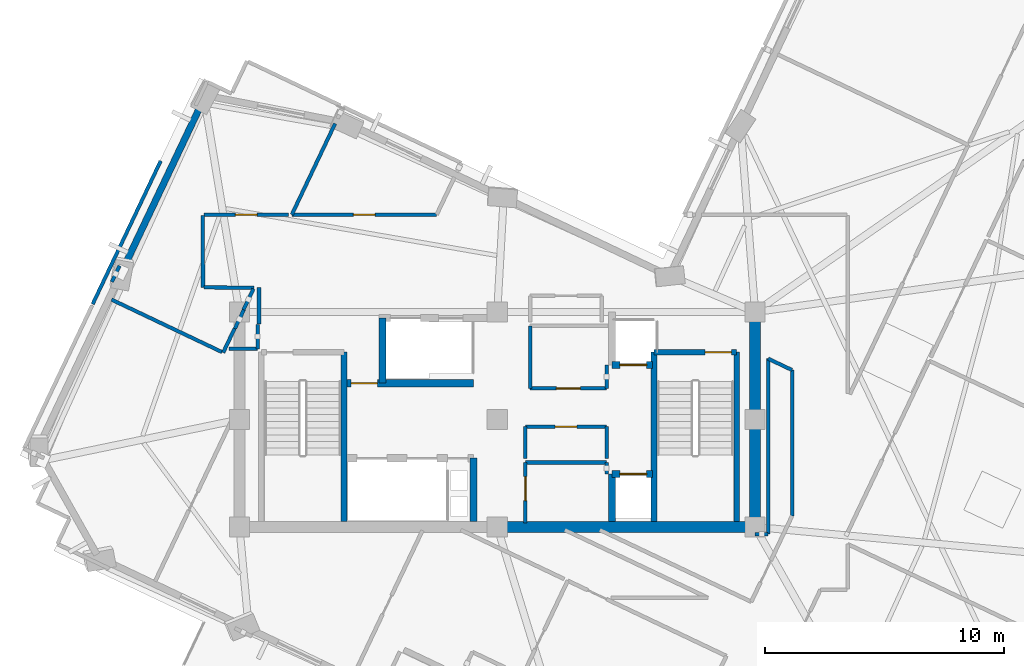
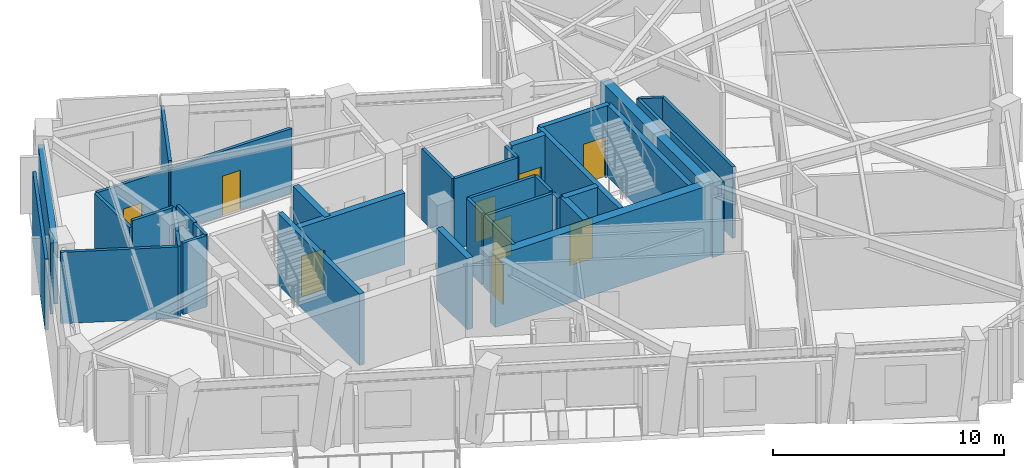
# One storey, part 6 of 13: 40 walls, 9 doors, 9 openings.
"""IFC4 building model written with IfcOpenShell, lengths in metres."""

from ifc_helpers import new_model, si_unit, direction, frame, frame_2d, origin, place, context, subcontext, project, spatial, rectangle, extrude, material, layer, layer_set, type_object, element, fill, save


model = new_model("IFC4")

# Units and contexts
model_context = context("Model", 3, precision=1e-05, world=origin(), true_north=direction((0.0, 1.0)))
body_context = subcontext(model_context, "Body", "Model", "MODEL_VIEW")
ifc_project = project(units=[si_unit("LENGTHUNIT", "METRE"), si_unit("AREAUNIT", "SQUARE_METRE"), si_unit("VOLUMEUNIT", "CUBIC_METRE"), si_unit("PLANEANGLEUNIT", "RADIAN"), si_unit("MASSUNIT", "GRAM", prefix="KILO")], contexts=[model_context])

# Site, building, storey
site_placement = place(None, origin())
site = spatial("IfcSite", under=ifc_project, at=site_placement, CompositionType="ELEMENT")
building_placement = place(site_placement, origin())
building = spatial("IfcBuilding", under=site, at=building_placement, Name="Gaonmaruhae Medical Tower", CompositionType="ELEMENT")
storey_placement = place(building_placement, frame((0.0, 0.0, 300.60009765625)))
storey = spatial("IfcBuildingStorey", under=building, at=storey_placement, Name="L72", CompositionType="ELEMENT", Elevation=300.60009765625)

# Walls
ifc_material_1 = material(Name="Concrete C50/60", Category="concrete")
ifc_layer_1 = layer(ifc_material_1, 0.449951171875)
ifc_layer_set_1 = layer_set([ifc_layer_1], Name="Concrete C50/60")
wall_type_1 = type_object("IfcWallType", Name="CW-450 Upper Core Shear Wall", PredefinedType="SHEAR", material=ifc_layer_set_1)
wall_1_placement = place(storey_placement, frame((24.800048828125, 7.800048828125, 0.0), z_axis=(0.0, 0.0, 1.0), x_axis=(1.0, 0.0, 0.0)))
element("IfcWall", 1, at=wall_1_placement, inside=storey, type_object=wall_type_1, Name="L72 Core Shear Wall CSW-S2", PredefinedType="SHEAR", context=body_context, shape_type="SweptSolid", body=[
    extrude(rectangle(XDim=10.800048828125, YDim=0.449951171875, at=frame_2d((5.39990234375, 0.0))), origin(), (0.0, 0.0, 1.0), 3.77978515625),
])
wall_2_placement = place(storey_placement, frame((35.60009765625, 7.800048828125, 0.0), z_axis=(0.0, 0.0, 1.0), x_axis=(0.0, 1.0, 0.0)))
element("IfcWall", 2, at=wall_2_placement, inside=storey, type_object=wall_type_1, Name="L72 Core Shear Wall CSW-E1", PredefinedType="SHEAR", context=body_context, shape_type="SweptSolid", body=[
    extrude(rectangle(XDim=9.0, YDim=0.449951171875, at=frame_2d((4.5, 0.0))), origin(), (0.0, 0.0, 1.0), 3.77978515625),
])
ifc_material_2 = material(Name="Precast concrete C45/55", Category="concrete")
ifc_layer_2 = layer(ifc_material_2, 0.280029296875)
ifc_layer_set_2 = layer_set([ifc_layer_2], Name="Precast concrete C45/55")
wall_type_2 = type_object("IfcWallType", Name="EW-280 Upper Precast Masonry-Frame Facade Wall", PredefinedType="SOLIDWALL", material=ifc_layer_set_2)
wall_3_placement = place(storey_placement, frame((9.151611328125, 18.656494140625, 0.0), z_axis=(0.0, 0.0, 1.0), x_axis=(0.428927525455, 0.903338905343, 0.0)))
element("IfcWall", 3, at=wall_3_placement, inside=storey, type_object=wall_type_2, Name="L72 Precast Masonry-Frame Wall N01-N02", PredefinedType="SOLIDWALL", context=body_context, shape_type="SweptSolid", body=[
    extrude(rectangle(XDim=7.43408203125, YDim=0.280029296875, at=frame_2d((3.717041015625, 0.0))), origin(), (0.0, 0.0, 1.0), 3.264892578125),
])

# Wall, opening, door
ifc_material_3 = material(Name="Gypsum board partition", Category="gypsum")
ifc_layer_3 = layer(ifc_material_3, 0.14990234375)
ifc_layer_set_3 = layer_set([ifc_layer_3], Name="Gypsum board partition")
wall_type_3 = type_object("IfcWallType", Name="PW-150 Rated Clinical Corridor Partition", PredefinedType="PARTITIONING", material=ifc_layer_set_3)
wall_4_placement = place(storey_placement, frame((25.97998046875, 7.9599609375, 0.0), z_axis=(0.0, 0.0, 1.0), x_axis=(0.0, 1.0, 0.0)))
wall_4 = element("IfcWall", 4, at=wall_4_placement, inside=storey, type_object=wall_type_3, Name="L72 Interior Partition L72-RCL1-1", PredefinedType="PARTITIONING", context=body_context, shape_type="SweptSolid", body=[
    extrude(rectangle(XDim=2.5400390625, YDim=0.14990234375, at=frame_2d((1.27001953125, 0.0))), origin(), (0.0, 0.0, 1.0), 3.77978515625),
])
opening_1_placement = place(wall_4_placement, frame((0.945068359375, 0.0, 0.0)))
opening_1 = element("IfcOpeningElement", 5, at=opening_1_placement, cuts=wall_4, Name="Opening CD-01", PredefinedType="OPENING", context=body_context, shape_type="SweptSolid", body=[
    extrude(rectangle(XDim=1.0, YDim=2.1201171875, at=frame_2d((0.5, 1.06005859375))), frame((0.0, 0.0849609375, 0.0), z_axis=(0.0, -1.0, 0.0), x_axis=(1.0, 0.0, 0.0)), (0.0, 0.0, 1.0), 0.169921875),
])
ifc_material_4 = material(Name="Antimicrobial laminate timber fire door", Category="wood")
door_type_1 = type_object("IfcDoorType", Name="CD-01 Consultation & Physician Office Door 1000x2120", OperationType="NOTDEFINED", PredefinedType="DOOR", material=ifc_material_4)
door_1_placement = place(opening_1_placement, origin())
door_1 = element("IfcDoor", 6, at=door_1_placement, inside=storey, type_object=door_type_1, Name="L72 Clinical Telemetry and Medication Room Door", OperationType="SINGLE_SWING_RIGHT", OverallHeight=2.1201171875, OverallWidth=1.0, PredefinedType="DOOR", context=body_context, shape_type="SweptSolid", body=[
    extrude(rectangle(XDim=1.0, YDim=2.1201171875, at=frame_2d((0.5, 1.06005859375))), frame((0.0, 0.02490234375, 0.0), z_axis=(0.0, -1.0, 0.0), x_axis=(1.0, 0.0, 0.0)), (0.0, 0.0, 1.0), 0.050048828125),
])
fill(opening_1, door_1)

# Walls
wall_5_placement = place(storey_placement, frame((25.97998046875, 10.5, 0.0), z_axis=(0.0, 0.0, 1.0), x_axis=(1.0, 0.0, 0.0)))
element("IfcWall", 7, at=wall_5_placement, inside=storey, type_object=wall_type_3, Name="L72 Interior Partition L72-RCL1-2", PredefinedType="PARTITIONING", context=body_context, shape_type="SweptSolid", body=[
    extrude(rectangle(XDim=3.39990234375, YDim=0.14990234375, at=frame_2d((1.699951171875, 0.0))), origin(), (0.0, 0.0, 1.0), 3.77978515625),
])
wall_6_placement = place(storey_placement, frame((29.3798828125, 10.5, 0.0), z_axis=(0.0, 0.0, 1.0), x_axis=(0.0, -1.0, 0.0)))
element("IfcWall", 8, at=wall_6_placement, inside=storey, type_object=wall_type_3, Name="L72 Interior Partition L72-RCL1-3", PredefinedType="PARTITIONING", context=body_context, shape_type="SweptSolid", body=[
    extrude(rectangle(XDim=0.47998046875, YDim=0.14990234375, at=frame_2d((0.239990234375, 0.0))), origin(), (0.0, 0.0, 1.0), 3.77978515625),
])
wall_7_placement = place(storey_placement, frame((25.97998046875, 10.659912109375, 0.0), z_axis=(0.0, 0.0, 1.0), x_axis=(0.0, 1.0, 0.0)))
element("IfcWall", 9, at=wall_7_placement, inside=storey, type_object=wall_type_3, Name="L72 Interior Partition L72-CS1-4", PredefinedType="PARTITIONING", context=body_context, shape_type="SweptSolid", body=[
    extrude(rectangle(XDim=1.340087890625, YDim=0.14990234375, at=frame_2d((0.669921875, 0.0))), origin(), (0.0, 0.0, 1.0), 3.77978515625),
])

# Wall, opening, door
wall_8_placement = place(storey_placement, frame((25.97998046875, 12.0, 0.0), z_axis=(0.0, 0.0, 1.0), x_axis=(1.0, 0.0, 0.0)))
wall_8 = element("IfcWall", 10, at=wall_8_placement, inside=storey, type_object=wall_type_3, Name="L72 Interior Partition L72-CS1-5", PredefinedType="PARTITIONING", context=body_context, shape_type="SweptSolid", body=[
    extrude(rectangle(XDim=3.39990234375, YDim=0.14990234375, at=frame_2d((1.699951171875, 0.0))), origin(), (0.0, 0.0, 1.0), 3.77978515625),
])
opening_2_placement = place(wall_8_placement, frame((1.239990234375, 0.0, 0.0)))
opening_2 = element("IfcOpeningElement", 11, at=opening_2_placement, cuts=wall_8, Name="Opening UD-01", PredefinedType="OPENING", context=body_context, shape_type="SweptSolid", body=[
    extrude(rectangle(XDim=0.919921875, YDim=2.10009765625, at=frame_2d((0.4599609375, 1.050048828125))), frame((0.0, 0.0849609375, 0.0), z_axis=(0.0, -1.0, 0.0), x_axis=(1.0, 0.0, 0.0)), (0.0, 0.0, 1.0), 0.169921875),
])
ifc_material_5 = material(Name="Powder-coated steel utility door", Category="steel")
door_type_2 = type_object("IfcDoorType", Name="UD-01 Toilet, Utility & Housekeeping Door 920x2100", OperationType="NOTDEFINED", PredefinedType="DOOR", material=ifc_material_5)
door_2_placement = place(opening_2_placement, origin())
door_2 = element("IfcDoor", 12, at=door_2_placement, inside=storey, type_object=door_type_2, Name="L72 Accessible Staff Toilet Door", OperationType="SINGLE_SWING_RIGHT", OverallHeight=2.10009765625, OverallWidth=0.919921875, PredefinedType="DOOR", context=body_context, shape_type="SweptSolid", body=[
    extrude(rectangle(XDim=0.919921875, YDim=2.10009765625, at=frame_2d((0.4599609375, 1.050048828125))), frame((0.0, 0.02490234375, 0.0), z_axis=(0.0, -1.0, 0.0), x_axis=(1.0, 0.0, 0.0)), (0.0, 0.0, 1.0), 0.050048828125),
])
fill(opening_2, door_2)

# Walls
wall_9_placement = place(storey_placement, frame((29.3798828125, 12.0, 0.0), z_axis=(0.0, 0.0, 1.0), x_axis=(0.0, -1.0, 0.0)))
element("IfcWall", 13, at=wall_9_placement, inside=storey, type_object=wall_type_3, Name="L72 Interior Partition L72-CS1-6", PredefinedType="PARTITIONING", context=body_context, shape_type="SweptSolid", body=[
    extrude(rectangle(XDim=1.340087890625, YDim=0.14990234375, at=frame_2d((0.669921875, 0.0))), origin(), (0.0, 0.0, 1.0), 3.77978515625),
])
wall_10_placement = place(storey_placement, frame((26.179931640625, 13.60009765625, 0.0), z_axis=(0.0, 0.0, 1.0), x_axis=(0.0, 1.0, 0.0)))
element("IfcWall", 14, at=wall_10_placement, inside=storey, type_object=wall_type_3, Name="L72 Interior Partition L72-RCL2-7", PredefinedType="PARTITIONING", context=body_context, shape_type="SweptSolid", body=[
    extrude(rectangle(XDim=2.619873046875, YDim=0.14990234375, at=frame_2d((1.31005859375, 0.0))), origin(), (0.0, 0.0, 1.0), 3.77978515625),
])
wall_11_placement = place(storey_placement, frame((29.3798828125, 14.580078125, 0.0), z_axis=(0.0, 0.0, 1.0), x_axis=(0.0, -1.0, 0.0)))
element("IfcWall", 15, at=wall_11_placement, inside=storey, type_object=wall_type_3, Name="L72 Interior Partition L72-RCL2-9", PredefinedType="PARTITIONING", context=body_context, shape_type="SweptSolid", body=[
    extrude(rectangle(XDim=0.97998046875, YDim=0.14990234375, at=frame_2d((0.489990234375, 0.0))), origin(), (0.0, 0.0, 1.0), 3.77978515625),
])

# Wall, opening, door
wall_12_placement = place(storey_placement, frame((29.3798828125, 13.60009765625, 0.0), z_axis=(0.0, 0.0, 1.0), x_axis=(-1.0, 0.0, 0.0)))
wall_12 = element("IfcWall", 16, at=wall_12_placement, inside=storey, type_object=wall_type_3, Name="L72 Interior Partition L72-RCL2-10", PredefinedType="PARTITIONING", context=body_context, shape_type="SweptSolid", body=[
    extrude(rectangle(XDim=3.199951171875, YDim=0.14990234375, at=frame_2d((1.60009765625, 0.0))), origin(), (0.0, 0.0, 1.0), 3.77978515625),
])
opening_3_placement = place(wall_12_placement, frame((1.10009765625, 0.0, 0.0)))
opening_3 = element("IfcOpeningElement", 17, at=opening_3_placement, cuts=wall_12, Name="Opening CD-01", PredefinedType="OPENING", context=body_context, shape_type="SweptSolid", body=[
    extrude(rectangle(XDim=1.0, YDim=2.1201171875, at=frame_2d((0.5, 1.06005859375))), frame((0.0, 0.0849609375, 0.0), z_axis=(0.0, -1.0, 0.0), x_axis=(1.0, 0.0, 0.0)), (0.0, 0.0, 1.0), 0.169921875),
])
door_3_placement = place(opening_3_placement, origin())
door_3 = element("IfcDoor", 18, at=door_3_placement, inside=storey, type_object=door_type_1, Name="L72 High-Zone Specialist Pharmacy Prep Room Door", OperationType="SINGLE_SWING_RIGHT", OverallHeight=2.1201171875, OverallWidth=1.0, PredefinedType="DOOR", context=body_context, shape_type="SweptSolid", body=[
    extrude(rectangle(XDim=1.0, YDim=2.1201171875, at=frame_2d((0.5, 1.06005859375))), frame((0.0, 0.02490234375, 0.0), z_axis=(0.0, -1.0, 0.0), x_axis=(1.0, 0.0, 0.0)), (0.0, 0.0, 1.0), 0.050048828125),
])
fill(opening_3, door_3)

# Walls
wall_13_placement = place(storey_placement, frame((35.60009765625, 7.5, 0.0), z_axis=(0.0, 0.0, 1.0), x_axis=(1.0, 0.0, 0.0)))
element("IfcWall", 19, at=wall_13_placement, inside=storey, type_object=wall_type_3, Name="L72 Interior Partition L72-IE01-62", PredefinedType="PARTITIONING", context=body_context, shape_type="SweptSolid", body=[
    extrude(rectangle(XDim=0.5498046875, YDim=0.14990234375, at=frame_2d((0.27490234375, 0.0))), origin(), (0.0, 0.0, 1.0), 3.164794921875),
])
wall_14_placement = place(storey_placement, frame((36.14990234375, 7.5, 0.0), z_axis=(0.0, 0.0, 1.0), x_axis=(0.0, 1.0, 0.0)))
element("IfcWall", 20, at=wall_14_placement, inside=storey, type_object=wall_type_3, Name="L72 Interior Partition L72-IE01-63", PredefinedType="PARTITIONING", context=body_context, shape_type="SweptSolid", body=[
    extrude(rectangle(XDim=7.344970703125, YDim=0.14990234375, at=frame_2d((3.67236328125, 0.0))), origin(), (0.0, 0.0, 1.0), 3.77978515625),
])
wall_15_placement = place(storey_placement, frame((36.14990234375, 14.844970703125, 0.0), z_axis=(0.0, 0.0, 1.0), x_axis=(0.90332878087, -0.428948847361, 0.0)))
element("IfcWall", 21, at=wall_15_placement, inside=storey, type_object=wall_type_3, Name="L72 Interior Partition L72-IE01-64", PredefinedType="PARTITIONING", context=body_context, shape_type="SweptSolid", body=[
    extrude(rectangle(XDim=1.10693359375, YDim=0.14990234375, at=frame_2d((0.553466796875, 0.0))), origin(), (0.0, 0.0, 1.0), 3.77978515625),
])
wall_16_placement = place(storey_placement, frame((37.14990234375, 14.3701171875, 0.0), z_axis=(0.0, 0.0, 1.0), x_axis=(0.0, -1.0, 0.0)))
element("IfcWall", 22, at=wall_16_placement, inside=storey, type_object=wall_type_3, Name="L72 Interior Partition L72-IE01-65", PredefinedType="PARTITIONING", context=body_context, shape_type="SweptSolid", body=[
    extrude(rectangle(XDim=6.107177734375, YDim=0.14990234375, at=frame_2d((3.0537109375, 0.0))), origin(), (0.0, 0.0, 1.0), 3.77978515625),
])

# Wall, opening, door
wall_17_placement = place(storey_placement, frame((22.262939453125, 20.8798828125, 0.0), z_axis=(0.0, 0.0, 1.0), x_axis=(-1.0, 0.0, 0.0)))
wall_17 = element("IfcWall", 23, at=wall_17_placement, inside=storey, type_object=wall_type_3, Name="L72 Interior Partition L72-IN02-86", PredefinedType="PARTITIONING", context=body_context, shape_type="SweptSolid", body=[
    extrude(rectangle(XDim=6.06689453125, YDim=0.14990234375, at=frame_2d((3.033447265625, 0.0))), origin(), (0.0, 0.0, 1.0), 3.414794921875),
])
opening_4_placement = place(wall_17_placement, frame((2.573486328125, 0.0, 0.0)))
opening_4 = element("IfcOpeningElement", 24, at=opening_4_placement, cuts=wall_17, Name="Opening UD-01", PredefinedType="OPENING", context=body_context, shape_type="SweptSolid", body=[
    extrude(rectangle(XDim=0.919921875, YDim=2.10009765625, at=frame_2d((0.4599609375, 1.050048828125))), frame((0.0, 0.0849609375, 0.0), z_axis=(0.0, -1.0, 0.0), x_axis=(1.0, 0.0, 0.0)), (0.0, 0.0, 1.0), 0.169921875),
])
door_4_placement = place(opening_4_placement, origin())
door_4 = element("IfcDoor", 25, at=door_4_placement, inside=storey, type_object=door_type_2, Name="L72 Ward Nutrition Pantry Door", OperationType="SINGLE_SWING_LEFT", OverallHeight=2.10009765625, OverallWidth=0.919921875, PredefinedType="DOOR", context=body_context, shape_type="SweptSolid", body=[
    extrude(rectangle(XDim=0.919921875, YDim=2.10009765625, at=frame_2d((0.4599609375, 1.050048828125))), frame((0.0, 0.02490234375, 0.0), z_axis=(0.0, -1.0, 0.0), x_axis=(1.0, 0.0, 0.0)), (0.0, 0.0, 1.0), 0.050048828125),
])
fill(opening_4, door_4)

# Walls
wall_18_placement = place(storey_placement, frame((16.196044921875, 20.8798828125, 0.0), z_axis=(0.0, 0.0, 1.0), x_axis=(0.429116927293, 0.903248948359, 0.0)))
element("IfcWall", 26, at=wall_18_placement, inside=storey, type_object=wall_type_3, Name="L72 Interior Partition L72-IN02-87", PredefinedType="PARTITIONING", context=body_context, shape_type="SweptSolid", body=[
    extrude(rectangle(XDim=4.224853515625, YDim=0.14990234375, at=frame_2d((2.1123046875, 0.0))), origin(), (0.0, 0.0, 1.0), 3.77978515625),
])
wall_19_placement = place(storey_placement, frame((12.469970703125, 20.85009765625, 0.0), z_axis=(0.0, 0.0, 1.0), x_axis=(0.001699301641, -0.999998556186, 0.0)))
element("IfcWall", 27, at=wall_19_placement, inside=storey, type_object=wall_type_3, Name="L72 Interior Partition L72-IN03-89", PredefinedType="PARTITIONING", context=body_context, shape_type="SweptSolid", body=[
    extrude(rectangle(XDim=3.01708984375, YDim=0.14990234375, at=frame_2d((1.508544921875, 0.0))), origin(), (0.0, 0.0, 1.0), 3.414794921875),
])
wall_20_placement = place(storey_placement, frame((12.52490234375, 17.8330078125, 0.0), z_axis=(0.0, 0.0, 1.0), x_axis=(0.999980747295, -0.0062052429, 0.0)))
element("IfcWall", 28, at=wall_20_placement, inside=storey, type_object=wall_type_3, Name="L72 Interior Partition L72-IN03-90", PredefinedType="PARTITIONING", context=body_context, shape_type="SweptSolid", body=[
    extrude(rectangle(XDim=2.085205078125, YDim=0.14990234375, at=frame_2d((1.04248046875, 0.0))), origin(), (0.0, 0.0, 1.0), 3.77978515625),
])
wall_21_placement = place(storey_placement, frame((14.5859375, 17.77001953125, 0.0), z_axis=(0.0, 0.0, 1.0), x_axis=(-0.428271414161, -0.903650151227, 0.0)))
element("IfcWall", 29, at=wall_21_placement, inside=storey, type_object=wall_type_3, Name="L72 Interior Partition L72-IN03-91", PredefinedType="PARTITIONING", context=body_context, shape_type="SweptSolid", body=[
    extrude(rectangle(XDim=0.9638671875, YDim=0.14990234375, at=frame_2d((0.48193359375, 0.0))), origin(), (0.0, 0.0, 1.0), 3.77978515625),
])
wall_22_placement = place(storey_placement, frame((13.800048828125, 16.113037109375, 0.0), z_axis=(0.0, 0.0, 1.0), x_axis=(-0.428545424875, -0.903520237083, 0.0)))
element("IfcWall", 30, at=wall_22_placement, inside=storey, type_object=wall_type_3, Name="L72 Interior Partition L72-IN03-92", PredefinedType="PARTITIONING", context=body_context, shape_type="SweptSolid", body=[
    extrude(rectangle(XDim=1.1201171875, YDim=0.14990234375, at=frame_2d((0.56005859375, 0.0))), origin(), (0.0, 0.0, 1.0), 3.77978515625),
])
wall_23_placement = place(storey_placement, frame((13.27490234375, 15.1220703125, 0.0), z_axis=(0.0, 0.0, 1.0), x_axis=(-0.903294117812, 0.42902183712, 0.0)))
element("IfcWall", 31, at=wall_23_placement, inside=storey, type_object=wall_type_3, Name="L72 Interior Partition L72-IN03-93", PredefinedType="PARTITIONING", context=body_context, shape_type="SweptSolid", body=[
    extrude(rectangle(XDim=5.12548828125, YDim=0.14990234375, at=frame_2d((2.562744140625, 0.0))), origin(), (0.0, 0.0, 1.0), 3.77978515625),
])
wall_24_placement = place(storey_placement, frame((8.658935546875, 18.06298828125, 0.0), z_axis=(0.0, 0.0, 1.0), x_axis=(0.42948980012, 0.903071708998, 0.0)))
element("IfcWall", 32, at=wall_24_placement, inside=storey, type_object=wall_type_3, Name="L72 Interior Partition L72-IN03-94", PredefinedType="PARTITIONING", context=body_context, shape_type="SweptSolid", body=[
    extrude(rectangle(XDim=0.74755859375, YDim=0.14990234375, at=frame_2d((0.373779296875, 0.0))), origin(), (0.0, 0.0, 1.0), 3.77978515625),
])

# Wall, opening, door
wall_25_placement = place(storey_placement, frame((16.06298828125, 20.8798828125, 0.0), z_axis=(0.0, 0.0, 1.0), x_axis=(-0.999999962206, -0.000274932975, 0.0)))
wall_25 = element("IfcWall", 33, at=wall_25_placement, inside=storey, type_object=wall_type_3, Name="L72 Interior Partition L72-IN03-99", PredefinedType="PARTITIONING", context=body_context, shape_type="SweptSolid", body=[
    extrude(rectangle(XDim=3.552001953125, YDim=0.14990234375, at=frame_2d((1.77587890625, 0.0))), origin(), (0.0, 0.0, 1.0), 3.414794921875),
])
opening_5_placement = place(wall_25_placement, frame((1.31591796875, 0.0, 0.0)))
opening_5 = element("IfcOpeningElement", 34, at=opening_5_placement, cuts=wall_25, Name="Opening UD-01", PredefinedType="OPENING", context=body_context, shape_type="SweptSolid", body=[
    extrude(rectangle(XDim=0.919921875, YDim=2.10009765625, at=frame_2d((0.4599609375, 1.050048828125))), frame((0.0, 0.0849609375, 0.0), z_axis=(0.0, -1.0, 0.0), x_axis=(1.0, 0.0, 0.0)), (0.0, 0.0, 1.0), 0.169921875),
])
door_5_placement = place(opening_5_placement, origin())
door_5 = element("IfcDoor", 35, at=door_5_placement, inside=storey, type_object=door_type_2, Name="L72 Public Visitor Toilet Door", OperationType="SINGLE_SWING_LEFT", OverallHeight=2.10009765625, OverallWidth=0.919921875, PredefinedType="DOOR", context=body_context, shape_type="SweptSolid", body=[
    extrude(rectangle(XDim=0.919921875, YDim=2.10009765625, at=frame_2d((0.4599609375, 1.050048828125))), frame((0.0, 0.02490234375, 0.0), z_axis=(0.0, -1.0, 0.0), x_axis=(1.0, 0.0, 0.0)), (0.0, 0.0, 1.0), 0.050048828125),
])
fill(opening_5, door_5)

# Walls
wall_26_placement = place(storey_placement, frame((14.760009765625, 16.284912109375, 0.0), z_axis=(0.0, 0.0, 1.0), x_axis=(0.0, -1.0, 0.0)))
element("IfcWall", 36, at=wall_26_placement, inside=storey, type_object=wall_type_3, Name="L72 Interior Partition L72-RM03-105", PredefinedType="PARTITIONING", context=body_context, shape_type="SweptSolid", body=[
    extrude(rectangle(XDim=1.02490234375, YDim=0.14990234375, at=frame_2d((0.512451171875, 0.0))), origin(), (0.0, 0.0, 1.0), 3.77978515625),
])
wall_27_placement = place(storey_placement, frame((14.760009765625, 15.260009765625, 0.0), z_axis=(0.0, 0.0, 1.0), x_axis=(-1.0, 0.0, 0.0)))
element("IfcWall", 37, at=wall_27_placement, inside=storey, type_object=wall_type_3, Name="L72 Interior Partition L72-RM03-106", PredefinedType="PARTITIONING", context=body_context, shape_type="SweptSolid", body=[
    extrude(rectangle(XDim=1.205078125, YDim=0.14990234375, at=frame_2d((0.6025390625, 0.0))), origin(), (0.0, 0.0, 1.0), 3.77978515625),
])
wall_28_placement = place(storey_placement, frame((7.85205078125, 17.133056640625, 0.0), z_axis=(0.0, 0.0, 1.0), x_axis=(0.429032815632, 0.903288903458, 0.0)))
element("IfcWall", 38, at=wall_28_placement, inside=storey, type_object=wall_type_3, Name="L72 Interior Partition L72-RM03-107", PredefinedType="PARTITIONING", context=body_context, shape_type="SweptSolid", body=[
    extrude(rectangle(XDim=6.64013671875, YDim=0.14990234375, at=frame_2d((3.320068359375, 0.0))), origin(), (0.0, 0.0, 1.0), 3.77978515625),
])
wall_29_placement = place(storey_placement, frame((13.81103515625, 16.10791015625, 0.0), z_axis=(0.0, 0.0, 1.0), x_axis=(0.431892084919, 0.901925289026, 0.0)))
element("IfcWall", 39, at=wall_29_placement, inside=storey, type_object=wall_type_3, Name="L72 Interior Partition L72-RM03-108", PredefinedType="PARTITIONING", context=body_context, shape_type="SweptSolid", body=[
    extrude(rectangle(XDim=0.87060546875, YDim=0.14990234375, at=frame_2d((0.435302734375, 0.0))), origin(), (0.0, 0.0, 1.0), 3.77978515625),
])
wall_30_placement = place(storey_placement, frame((14.820068359375, 17.820068359375, 0.0), z_axis=(0.0, 0.0, 1.0), x_axis=(0.0, -1.0, 0.0)))
element("IfcWall", 40, at=wall_30_placement, inside=storey, type_object=wall_type_3, Name="L72 Interior Partition L72-RM03-109", PredefinedType="PARTITIONING", context=body_context, shape_type="SweptSolid", body=[
    extrude(rectangle(XDim=1.51611328125, YDim=0.14990234375, at=frame_2d((0.758056640625, 0.0))), origin(), (0.0, 0.0, 1.0), 3.77978515625),
])
ifc_layer_4 = layer(ifc_material_1, 0.239990234375)
ifc_layer_set_4 = layer_set([ifc_layer_4], Name="Concrete C50/60")
wall_type_4 = type_object("IfcWallType", Name="SW-240 Dogleg Stair Tight Shaft Wall", PredefinedType="SOLIDWALL", material=ifc_layer_set_4)
wall_31_placement = place(storey_placement, frame((18.3798828125, 15.1201171875, 0.0), z_axis=(0.0, 0.0, 1.0), x_axis=(0.0, -1.0, 0.0)))
element("IfcWall", 41, at=wall_31_placement, inside=storey, type_object=wall_type_4, Name="L72 ST-01 Stair Shaft Wall SHW-ST-01-E", PredefinedType="SOLIDWALL", context=body_context, shape_type="SweptSolid", body=[
    extrude(rectangle(XDim=7.09521484375, YDim=0.239990234375, at=frame_2d((3.547607421875, 0.0))), origin(), (0.0, 0.0, 1.0), 3.77978515625),
])

# Wall, opening, door
wall_32_placement = place(storey_placement, frame((31.3701171875, 15.1201171875, 0.0), z_axis=(0.0, 0.0, 1.0), x_axis=(1.0, 0.0, 0.0)))
wall_32 = element("IfcWall", 42, at=wall_32_placement, inside=storey, type_object=wall_type_4, Name="L72 ST-02 Stair Shaft Wall SHW-ST-02-N", PredefinedType="SOLIDWALL", context=body_context, shape_type="SweptSolid", body=[
    extrude(rectangle(XDim=3.4599609375, YDim=0.239990234375, at=frame_2d((1.72998046875, 0.0))), origin(), (0.0, 0.0, 1.0), 3.77978515625),
])
opening_6_placement = place(wall_32_placement, frame((2.139892578125, 0.0, 0.0)))
opening_6 = element("IfcOpeningElement", 43, at=opening_6_placement, cuts=wall_32, Name="Opening FD-01", PredefinedType="OPENING", context=body_context, shape_type="SweptSolid", body=[
    extrude(rectangle(XDim=1.10009765625, YDim=2.14990234375, at=frame_2d((0.550048828125, 1.074951171875))), frame((0.0, 0.1298828125, 0.0), z_axis=(0.0, -1.0, 0.0), x_axis=(1.0, 0.0, 0.0)), (0.0, 0.0, 1.0), 0.260009765625),
])
ifc_material_6 = material(Name="Powder-coated steel fire door", Category="steel")
door_type_3 = type_object("IfcDoorType", Name="FD-01 Escape Stair Protected Fire Door 1100x2150", OperationType="NOTDEFINED", PredefinedType="DOOR", material=ifc_material_6)
door_6_placement = place(opening_6_placement, origin())
door_6 = element("IfcDoor", 44, at=door_6_placement, inside=storey, type_object=door_type_3, Name="L72 ST-02 Protected Escape Stair Door", OperationType="SINGLE_SWING_RIGHT", OverallHeight=2.14990234375, OverallWidth=1.10009765625, PredefinedType="DOOR", context=body_context, shape_type="SweptSolid", body=[
    extrude(rectangle(XDim=1.10009765625, YDim=2.14990234375, at=frame_2d((0.550048828125, 1.074951171875))), frame((0.0, 0.02490234375, 0.0), z_axis=(0.0, -1.0, 0.0), x_axis=(1.0, 0.0, 0.0)), (0.0, 0.0, 1.0), 0.050048828125),
])
fill(opening_6, door_6)

# Walls
for number, where, z_axis, x_axis, name in (
    (45, (34.830078125, 15.1201171875, 0.0), (0.0, 0.0, 1.0), (0.0, -1.0, 0.0), "L72 ST-02 Stair Shaft Wall SHW-ST-02-E"),
    (46, (31.3701171875, 8.02490234375, 0.0), (0.0, 0.0, 1.0), (0.0, 1.0, 0.0), "L72 ST-02 Stair Shaft Wall SHW-ST-02-W"),
):
    element("IfcWall", number, at=place(storey_placement, frame(where, z_axis=z_axis, x_axis=x_axis)), inside=storey, type_object=wall_type_4, Name=name, PredefinedType="SOLIDWALL", context=body_context, shape_type="SweptSolid", body=[
        extrude(rectangle(XDim=7.09521484375, YDim=0.239990234375, at=frame_2d((3.547607421875, 0.0))), origin(), (0.0, 0.0, 1.0), 3.77978515625),
    ])

# Wall, opening, door
ifc_layer_5 = layer(ifc_material_1, 0.300048828125)
ifc_layer_set_5 = layer_set([ifc_layer_5], Name="Concrete C50/60")
wall_type_5 = type_object("IfcWallType", Name="SW-300 Stair & Lift Hoistway Shaft Wall", PredefinedType="SOLIDWALL", material=ifc_layer_set_5)
wall_33_placement = place(storey_placement, frame((18.5, 13.820068359375, 0.0), z_axis=(0.0, 0.0, 1.0), x_axis=(1.0, 0.0, 0.0)))
wall_33 = element("IfcWall", 47, at=wall_33_placement, inside=storey, type_object=wall_type_5, Name="L72 Shaft Enclosure Wall SHW-FFL", PredefinedType="SOLIDWALL", context=body_context, shape_type="SweptSolid", body=[
    extrude(rectangle(XDim=5.300048828125, YDim=0.300048828125, at=frame_2d((2.64990234375, 0.0))), origin(), (0.0, 0.0, 1.0), 3.77978515625),
])
opening_7_placement = place(wall_33_placement, frame((0.179931640625, 0.0, 0.0)))
opening_7 = element("IfcOpeningElement", 48, at=opening_7_placement, cuts=wall_33, Name="Opening FD-01", PredefinedType="OPENING", context=body_context, shape_type="SweptSolid", body=[
    extrude(rectangle(XDim=1.10009765625, YDim=2.14990234375, at=frame_2d((0.550048828125, 1.074951171875))), frame((0.0, 0.16015625, 0.0), z_axis=(0.0, -1.0, 0.0), x_axis=(1.0, 0.0, 0.0)), (0.0, 0.0, 1.0), 0.320068359375),
])
door_7_placement = place(opening_7_placement, origin())
door_7 = element("IfcDoor", 49, at=door_7_placement, inside=storey, type_object=door_type_3, Name="L72 Firefighting Lobby Smoke Door", OperationType="SINGLE_SWING_LEFT", OverallHeight=2.14990234375, OverallWidth=1.10009765625, PredefinedType="DOOR", context=body_context, shape_type="SweptSolid", body=[
    extrude(rectangle(XDim=1.10009765625, YDim=2.14990234375, at=frame_2d((0.550048828125, 1.074951171875))), frame((0.0, 0.02490234375, 0.0), z_axis=(0.0, -1.0, 0.0), x_axis=(1.0, 0.0, 0.0)), (0.0, 0.0, 1.0), 0.050048828125),
])
fill(opening_7, door_7)

# Walls
wall_34_placement = place(storey_placement, frame((23.800048828125, 8.02490234375, 0.0), z_axis=(0.0, 0.0, 1.0), x_axis=(0.0, 1.0, 0.0)))
element("IfcWall", 50, at=wall_34_placement, inside=storey, type_object=wall_type_5, Name="L72 Shaft Enclosure Wall SHW-FFE", PredefinedType="SOLIDWALL", context=body_context, shape_type="SweptSolid", body=[
    extrude(rectangle(XDim=2.655029296875, YDim=0.300048828125, at=frame_2d((1.32763671875, 0.0))), origin(), (0.0, 0.0, 1.0), 3.77978515625),
])
wall_35_placement = place(storey_placement, frame((20.0, 13.820068359375, 0.0), z_axis=(0.0, 0.0, 1.0), x_axis=(0.0, 1.0, 0.0)))
element("IfcWall", 51, at=wall_35_placement, inside=storey, type_object=wall_type_5, Name="L72 Shaft Enclosure Wall SHW-BDW", PredefinedType="SOLIDWALL", context=body_context, shape_type="SweptSolid", body=[
    extrude(rectangle(XDim=2.72998046875, YDim=0.300048828125, at=frame_2d((1.364990234375, 0.0))), origin(), (0.0, 0.0, 1.0), 3.77978515625),
])

# Wall, opening, door
wall_36_placement = place(storey_placement, frame((29.60009765625, 10.02001953125, 0.0), z_axis=(0.0, 0.0, 1.0), x_axis=(1.0, 0.0, 0.0)))
wall_36 = element("IfcWall", 52, at=wall_36_placement, inside=storey, type_object=wall_type_5, Name="L72 Shaft Enclosure Wall SHW-PLS", PredefinedType="SOLIDWALL", context=body_context, shape_type="SweptSolid", body=[
    extrude(rectangle(XDim=1.699951171875, YDim=0.300048828125, at=frame_2d((0.85009765625, 0.0))), origin(), (0.0, 0.0, 1.0), 3.77978515625),
])
opening_8_placement = place(wall_36_placement, frame((0.340087890625, 0.0, 0.0)))
opening_8 = element("IfcOpeningElement", 53, at=opening_8_placement, cuts=wall_36, Name="Opening LD-P1", PredefinedType="OPENING", context=body_context, shape_type="SweptSolid", body=[
    extrude(rectangle(XDim=1.1201171875, YDim=2.14990234375, at=frame_2d((0.56005859375, 1.074951171875))), frame((0.0, 0.16015625, 0.0), z_axis=(0.0, -1.0, 0.0), x_axis=(1.0, 0.0, 0.0)), (0.0, 0.0, 1.0), 0.320068359375),
])
ifc_material_7 = material(Name="Brushed stainless steel 304 landing door", Category="steel")
door_type_4 = type_object("IfcDoorType", Name="LD-P1 Passenger Lift Sliding Landing Door 1120x2150", OperationType="NOTDEFINED", PredefinedType="DOOR", material=ifc_material_7)
door_8_placement = place(opening_8_placement, origin())
door_8 = element("IfcDoor", 54, at=door_8_placement, inside=storey, type_object=door_type_4, Name="L72 Passenger Lift Landing Door PL-H1", OperationType="DOUBLE_DOOR_SLIDING", OverallHeight=2.14990234375, OverallWidth=1.1201171875, PredefinedType="DOOR", context=body_context, shape_type="SweptSolid", body=[
    extrude(rectangle(XDim=1.1201171875, YDim=2.14990234375, at=frame_2d((0.56005859375, 1.074951171875))), frame((0.0, 0.02490234375, 0.0), z_axis=(0.0, -1.0, 0.0), x_axis=(1.0, 0.0, 0.0)), (0.0, 0.0, 1.0), 0.050048828125),
])
fill(opening_8, door_8)

# Wall
wall_37_placement = place(storey_placement, frame((29.60009765625, 8.02490234375, 0.0), z_axis=(0.0, 0.0, 1.0), x_axis=(0.0, 1.0, 0.0)))
element("IfcWall", 55, at=wall_37_placement, inside=storey, type_object=wall_type_5, Name="L72 Shaft Enclosure Wall SHW-PLD1", PredefinedType="SOLIDWALL", context=body_context, shape_type="SweptSolid", body=[
    extrude(rectangle(XDim=1.9951171875, YDim=0.300048828125, at=frame_2d((0.99755859375, 0.0))), origin(), (0.0, 0.0, 1.0), 3.77978515625),
])

# Wall, opening, door
wall_38_placement = place(storey_placement, frame((29.60009765625, 14.580078125, 0.0), z_axis=(0.0, 0.0, 1.0), x_axis=(1.0, 0.0, 0.0)))
wall_38 = element("IfcWall", 56, at=wall_38_placement, inside=storey, type_object=wall_type_5, Name="L72 Shaft Enclosure Wall SHW-PLN", PredefinedType="SOLIDWALL", context=body_context, shape_type="SweptSolid", body=[
    extrude(rectangle(XDim=1.699951171875, YDim=0.300048828125, at=frame_2d((0.85009765625, 0.0))), origin(), (0.0, 0.0, 1.0), 3.77978515625),
])
opening_9_placement = place(wall_38_placement, frame((0.340087890625, 0.0, 0.0)))
opening_9 = element("IfcOpeningElement", 57, at=opening_9_placement, cuts=wall_38, Name="Opening LD-P1", PredefinedType="OPENING", context=body_context, shape_type="SweptSolid", body=[
    extrude(rectangle(XDim=1.1201171875, YDim=2.14990234375, at=frame_2d((0.56005859375, 1.074951171875))), frame((0.0, 0.16015625, 0.0), z_axis=(0.0, -1.0, 0.0), x_axis=(1.0, 0.0, 0.0)), (0.0, 0.0, 1.0), 0.320068359375),
])
door_9_placement = place(opening_9_placement, origin())
door_9 = element("IfcDoor", 58, at=door_9_placement, inside=storey, type_object=door_type_4, Name="L72 Passenger Lift Landing Door PL-H2", OperationType="DOUBLE_DOOR_SLIDING", OverallHeight=2.14990234375, OverallWidth=1.1201171875, PredefinedType="DOOR", context=body_context, shape_type="SweptSolid", body=[
    extrude(rectangle(XDim=1.1201171875, YDim=2.14990234375, at=frame_2d((0.56005859375, 1.074951171875))), frame((0.0, 0.02490234375, 0.0), z_axis=(0.0, -1.0, 0.0), x_axis=(1.0, 0.0, 0.0)), (0.0, 0.0, 1.0), 0.050048828125),
])
fill(opening_9, door_9)

save(model, "model.ifc")
